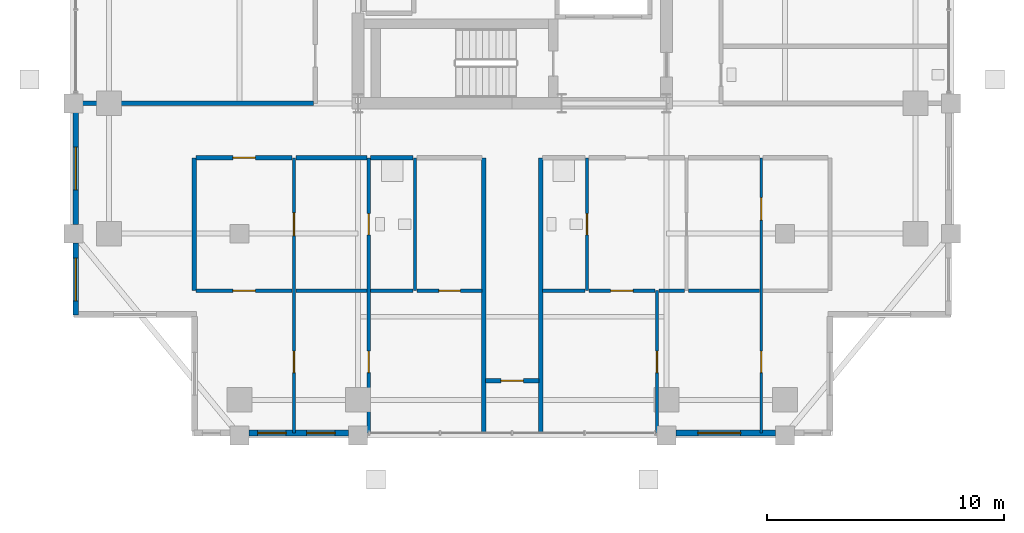
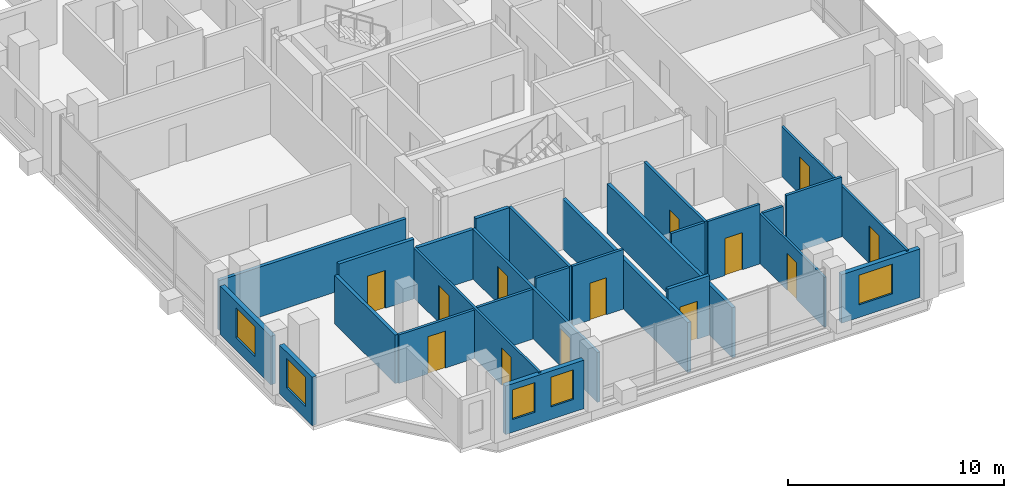
# One storey, part 18 of 24: 26 walls, 13 doors, 5 windows, 18 openings.
"""IFC4 building model written with IfcOpenShell, lengths in metres."""

from ifc_helpers import new_model, si_unit, direction, frame, frame_2d, origin, place, context, subcontext, project, spatial, rectangle, extrude, material, layer, layer_set, type_object, element, fill, save


model = new_model("IFC4")

# Units and contexts
model_context = context("Model", 3, precision=1e-05, world=origin(), true_north=direction((0.0, 1.0)))
body_context = subcontext(model_context, "Body", "Model", "MODEL_VIEW")
ifc_project = project(units=[si_unit("LENGTHUNIT", "METRE"), si_unit("AREAUNIT", "SQUARE_METRE"), si_unit("VOLUMEUNIT", "CUBIC_METRE"), si_unit("PLANEANGLEUNIT", "RADIAN"), si_unit("MASSUNIT", "GRAM", prefix="KILO")], contexts=[model_context])

# Site, building, storey
site_placement = place(None, origin())
site = spatial("IfcSite", under=ifc_project, at=site_placement, CompositionType="ELEMENT")
building_placement = place(site_placement, origin())
building = spatial("IfcBuilding", under=site, at=building_placement, Name="Barlavira Tower and Art Museum", CompositionType="ELEMENT")
storey_placement = place(building_placement, frame((0.0, 0.0, 201.60009765625)))
storey = spatial("IfcBuildingStorey", under=building, at=storey_placement, Name="L52", CompositionType="ELEMENT", Elevation=201.60009765625)

# Wall, openings, doors
ifc_material_1 = material(Name="Gypsum acoustic stud partition", Category="gypsum")
ifc_layer_1 = layer(ifc_material_1, 0.1201171875, Name="Gypsum acoustic stud partition")
ifc_layer_set_1 = layer_set([ifc_layer_1], Name="Gypsum acoustic stud partition")
wall_type_1 = type_object("IfcWallType", Name="Apartment Internal Acoustic Partition 120", PredefinedType="PARTITIONING", material=ifc_layer_set_1)
wall_1_placement = place(storey_placement, frame((-9.199951171875, -21.39990234375, 0.0), z_axis=(0.0, 0.0, 1.0), x_axis=(0.0, 1.0, 0.0)))
wall_1 = element("IfcWall", 1, at=wall_1_placement, inside=storey, type_object=wall_type_1, Name="L52 Partition Wall 3", PredefinedType="PARTITIONING", context=body_context, shape_type="SweptSolid", body=[
    extrude(rectangle(XDim=11.599853515625, YDim=0.1201171875, at=frame_2d((5.7998046875, 0.0))), origin(), (0.0, 0.0, 1.0), 2.825927734375),
])
opening_1_placement = place(wall_1_placement, frame((8.324951171875, 0.0, 0.0)))
opening_1 = element("IfcOpeningElement", 2, at=opening_1_placement, cuts=wall_1, Name="Opening D-02", PredefinedType="OPENING", context=body_context, shape_type="SweptSolid", body=[
    extrude(rectangle(XDim=0.949951171875, YDim=2.10009765625, at=frame_2d((0.47509765625, 1.050048828125))), frame((0.0, 0.070068359375, 0.0), z_axis=(0.0, -1.0, 0.0), x_axis=(1.0, 0.0, 0.0)), (0.0, 0.0, 1.0), 0.14013671875),
])
opening_2_placement = place(wall_1_placement, frame((2.550048828125, 0.0, 0.0)))
opening_2 = element("IfcOpeningElement", 3, at=opening_2_placement, cuts=wall_1, Name="Opening D-01", PredefinedType="OPENING", context=body_context, shape_type="SweptSolid", body=[
    extrude(rectangle(XDim=0.89990234375, YDim=2.10009765625, at=frame_2d((0.449951171875, 1.050048828125))), frame((0.0, 0.070068359375, 0.0), z_axis=(0.0, -1.0, 0.0), x_axis=(1.0, 0.0, 0.0)), (0.0, 0.0, 1.0), 0.14013671875),
])
ifc_material_2 = material(Name="Engineered coastal hardwood", Category="wood")
door_type_1 = type_object("IfcDoorType", Name="Internal Bedroom Timber Flush Door 900x2100", OperationType="NOTDEFINED", PredefinedType="DOOR", material=ifc_material_2)
door_1_placement = place(opening_2_placement, origin())
door_1 = element("IfcDoor", 4, at=door_1_placement, inside=storey, type_object=door_type_1, Name="Apartment SW1 Bedroom 1 Door", OperationType="SINGLE_SWING_LEFT", OverallHeight=2.10009765625, OverallWidth=0.89990234375, PredefinedType="DOOR", context=body_context, shape_type="SweptSolid", body=[
    extrude(rectangle(XDim=0.89990234375, YDim=2.10009765625, at=frame_2d((0.449951171875, 1.050048828125))), frame((0.0, 0.02490234375, 0.0), z_axis=(0.0, -1.0, 0.0), x_axis=(1.0, 0.0, 0.0)), (0.0, 0.0, 1.0), 0.050048828125),
])
fill(opening_2, door_1)
door_type_2 = type_object("IfcDoorType", Name="Living and Salon Glazed-Leaf Door 950x2100", OperationType="NOTDEFINED", PredefinedType="DOOR", material=ifc_material_2)
door_2_placement = place(opening_1_placement, origin())
door_2 = element("IfcDoor", 5, at=door_2_placement, inside=storey, type_object=door_type_2, Name="Apartment SW1 Kitchen Door", OperationType="SINGLE_SWING_LEFT", OverallHeight=2.10009765625, OverallWidth=0.949951171875, PredefinedType="DOOR", context=body_context, shape_type="SweptSolid", body=[
    extrude(rectangle(XDim=0.949951171875, YDim=2.10009765625, at=frame_2d((0.47509765625, 1.050048828125))), frame((0.0, 0.02490234375, 0.0), z_axis=(0.0, -1.0, 0.0), x_axis=(1.0, 0.0, 0.0)), (0.0, 0.0, 1.0), 0.050048828125),
])
fill(opening_1, door_2)

# Wall, opening, door
wall_2_placement = place(storey_placement, frame((6.10009765625, -21.39990234375, 0.0), z_axis=(0.0, 0.0, 1.0), x_axis=(0.0, 1.0, 0.0)))
wall_2 = element("IfcWall", 6, at=wall_2_placement, inside=storey, type_object=wall_type_1, Name="L52 Partition Wall 19", PredefinedType="PARTITIONING", context=body_context, shape_type="SweptSolid", body=[
    extrude(rectangle(XDim=6.0, YDim=0.1201171875, at=frame_2d((3.0, 0.0))), origin(), (0.0, 0.0, 1.0), 2.825927734375),
])
opening_3_placement = place(wall_2_placement, frame((2.550048828125, 0.0, 0.0)))
opening_3 = element("IfcOpeningElement", 7, at=opening_3_placement, cuts=wall_2, Name="Opening D-01", PredefinedType="OPENING", context=body_context, shape_type="SweptSolid", body=[
    extrude(rectangle(XDim=0.89990234375, YDim=2.10009765625, at=frame_2d((0.449951171875, 1.050048828125))), frame((0.0, 0.070068359375, 0.0), z_axis=(0.0, -1.0, 0.0), x_axis=(1.0, 0.0, 0.0)), (0.0, 0.0, 1.0), 0.14013671875),
])
door_3_placement = place(opening_3_placement, origin())
door_3 = element("IfcDoor", 8, at=door_3_placement, inside=storey, type_object=door_type_1, Name="Apartment SE1 Bedroom 1 Door", OperationType="SINGLE_SWING_RIGHT", OverallHeight=2.10009765625, OverallWidth=0.89990234375, PredefinedType="DOOR", context=body_context, shape_type="SweptSolid", body=[
    extrude(rectangle(XDim=0.89990234375, YDim=2.10009765625, at=frame_2d((0.449951171875, 1.050048828125))), frame((0.0, 0.02490234375, 0.0), z_axis=(0.0, -1.0, 0.0), x_axis=(1.0, 0.0, 0.0)), (0.0, 0.0, 1.0), 0.050048828125),
])
fill(opening_3, door_3)

# Wall, openings, doors
wall_3_placement = place(storey_placement, frame((10.5, -21.39990234375, 0.0), z_axis=(0.0, 0.0, 1.0), x_axis=(0.0, 1.0, 0.0)))
wall_3 = element("IfcWall", 9, at=wall_3_placement, inside=storey, type_object=wall_type_1, Name="L52 Partition Wall 24", PredefinedType="PARTITIONING", context=body_context, shape_type="SweptSolid", body=[
    extrude(rectangle(XDim=11.599853515625, YDim=0.1201171875, at=frame_2d((5.7998046875, 0.0))), origin(), (0.0, 0.0, 1.0), 2.825927734375),
])
opening_4_placement = place(wall_3_placement, frame((8.973388671875, 0.0, 0.0)))
opening_4 = element("IfcOpeningElement", 10, at=opening_4_placement, cuts=wall_3, Name="Opening D-02", PredefinedType="OPENING", context=body_context, shape_type="SweptSolid", body=[
    extrude(rectangle(XDim=0.949951171875, YDim=2.10009765625, at=frame_2d((0.47509765625, 1.050048828125))), frame((0.0, 0.070068359375, 0.0), z_axis=(0.0, -1.0, 0.0), x_axis=(1.0, 0.0, 0.0)), (0.0, 0.0, 1.0), 0.14013671875),
])
opening_5_placement = place(wall_3_placement, frame((2.550048828125, 0.0, 0.0)))
opening_5 = element("IfcOpeningElement", 11, at=opening_5_placement, cuts=wall_3, Name="Opening D-01", PredefinedType="OPENING", context=body_context, shape_type="SweptSolid", body=[
    extrude(rectangle(XDim=0.89990234375, YDim=2.10009765625, at=frame_2d((0.449951171875, 1.050048828125))), frame((0.0, 0.070068359375, 0.0), z_axis=(0.0, -1.0, 0.0), x_axis=(1.0, 0.0, 0.0)), (0.0, 0.0, 1.0), 0.14013671875),
])
door_4_placement = place(opening_5_placement, origin())
door_4 = element("IfcDoor", 12, at=door_4_placement, inside=storey, type_object=door_type_1, Name="Apartment SE1 Bedroom 2 Door", OperationType="SINGLE_SWING_LEFT", OverallHeight=2.10009765625, OverallWidth=0.89990234375, PredefinedType="DOOR", context=body_context, shape_type="SweptSolid", body=[
    extrude(rectangle(XDim=0.89990234375, YDim=2.10009765625, at=frame_2d((0.449951171875, 1.050048828125))), frame((0.0, 0.02490234375, 0.0), z_axis=(0.0, -1.0, 0.0), x_axis=(1.0, 0.0, 0.0)), (0.0, 0.0, 1.0), 0.050048828125),
])
fill(opening_5, door_4)
door_5_placement = place(opening_4_placement, origin())
door_5 = element("IfcDoor", 13, at=door_5_placement, inside=storey, type_object=door_type_2, Name="Apartment SE1 Dining Salon Door", OperationType="SINGLE_SWING_RIGHT", OverallHeight=2.10009765625, OverallWidth=0.949951171875, PredefinedType="DOOR", context=body_context, shape_type="SweptSolid", body=[
    extrude(rectangle(XDim=0.949951171875, YDim=2.10009765625, at=frame_2d((0.47509765625, 1.050048828125))), frame((0.0, 0.02490234375, 0.0), z_axis=(0.0, -1.0, 0.0), x_axis=(1.0, 0.0, 0.0)), (0.0, 0.0, 1.0), 0.050048828125),
])
fill(opening_4, door_5)

# Walls
ifc_layer_2 = layer(ifc_material_1, 0.179931640625, Name="Gypsum acoustic stud partition")
ifc_layer_set_2 = layer_set([ifc_layer_2], Name="Gypsum acoustic stud partition")
wall_type_2 = type_object("IfcWallType", Name="Inter-Tenancy Party Partition Wall 180", PredefinedType="PARTITIONING", material=ifc_layer_set_2)
wall_4_placement = place(storey_placement, frame((-13.39990234375, -15.39990234375, 0.0), z_axis=(0.0, 0.0, 1.0), x_axis=(0.0, 1.0, 0.0)))
element("IfcWall", 14, at=wall_4_placement, inside=storey, type_object=wall_type_2, Name="L52 Partition Wall 1", PredefinedType="PARTITIONING", context=body_context, shape_type="SweptSolid", body=[
    extrude(rectangle(XDim=5.599853515625, YDim=0.179931640625, at=frame_2d((2.7998046875, 0.0))), origin(), (0.0, 0.0, 1.0), 2.747802734375),
])
for number, where, z_axis, x_axis, name in (
    (15, (-1.199951171875, -21.39990234375, 0.0), (0.0, 0.0, 1.0), (0.0, 1.0, 0.0), "L52 Partition Wall 12"),
    (16, (1.199951171875, -21.39990234375, 0.0), (0.0, 0.0, 1.0), (0.0, 1.0, 0.0), "L52 Partition Wall 14"),
):
    element("IfcWall", number, at=place(storey_placement, frame(where, z_axis=z_axis, x_axis=x_axis)), inside=storey, type_object=wall_type_2, Name=name, PredefinedType="PARTITIONING", context=body_context, shape_type="SweptSolid", body=[
        extrude(rectangle(XDim=11.599853515625, YDim=0.179931640625, at=frame_2d((5.7998046875, 0.0))), origin(), (0.0, 0.0, 1.0), 2.825927734375),
    ])

# Wall, opening, door
wall_5_placement = place(storey_placement, frame((-1.1201171875, -19.199951171875, 0.0), z_axis=(0.0, 0.0, 1.0), x_axis=(1.0, 0.0, 0.0)))
wall_5 = element("IfcWall", 17, at=wall_5_placement, inside=storey, type_object=wall_type_2, Name="L52 Partition Wall 28", PredefinedType="PARTITIONING", context=body_context, shape_type="SweptSolid", body=[
    extrude(rectangle(XDim=2.240234375, YDim=0.179931640625, at=frame_2d((1.1201171875, 0.0))), origin(), (0.0, 0.0, 1.0), 3.3798828125),
])
opening_6_placement = place(wall_5_placement, frame((0.64501953125, 0.0, 0.0)))
opening_6 = element("IfcOpeningElement", 18, at=opening_6_placement, cuts=wall_5, Name="Opening FD-60", PredefinedType="OPENING", context=body_context, shape_type="SweptSolid", body=[
    extrude(rectangle(XDim=0.949951171875, YDim=2.14990234375, at=frame_2d((0.47509765625, 1.074951171875))), frame((0.0, 0.10009765625, 0.0), z_axis=(0.0, -1.0, 0.0), x_axis=(1.0, 0.0, 0.0)), (0.0, 0.0, 1.0), 0.199951171875),
])
ifc_material_3 = material(Name="Brushed stainless steel", Category="steel")
door_type_3 = type_object("IfcDoorType", Name="Apartment Entrance and Riser Fire Door 950x2150 FD60S", OperationType="NOTDEFINED", PredefinedType="DOOR", material=ifc_material_3)
door_6_placement = place(opening_6_placement, origin())
door_6 = element("IfcDoor", 19, at=door_6_placement, inside=storey, type_object=door_type_3, Name="L52 South Horizon Reading Alcove Door", OperationType="SINGLE_SWING_LEFT", OverallHeight=2.14990234375, OverallWidth=0.949951171875, PredefinedType="DOOR", context=body_context, shape_type="SweptSolid", body=[
    extrude(rectangle(XDim=0.949951171875, YDim=2.14990234375, at=frame_2d((0.47509765625, 1.074951171875))), frame((0.0, 0.02490234375, 0.0), z_axis=(0.0, -1.0, 0.0), x_axis=(1.0, 0.0, 0.0)), (0.0, 0.0, 1.0), 0.050048828125),
])
fill(opening_6, door_6)

wall_6_placement = place(storey_placement, frame((-13.320068359375, -9.800048828125, 0.0), z_axis=(0.0, 0.0, 1.0), x_axis=(1.0, 0.0, 0.0)))
wall_6 = element("IfcWall", 20, at=wall_6_placement, inside=storey, type_object=wall_type_2, Name="L52 Partition Wall 38", PredefinedType="PARTITIONING", context=body_context, shape_type="SweptSolid", body=[
    extrude(rectangle(XDim=4.0400390625, YDim=0.179931640625, at=frame_2d((2.02001953125, 0.0))), origin(), (0.0, 0.0, 1.0), 3.3798828125),
])
opening_7_placement = place(wall_6_placement, frame((1.544921875, 0.0, 0.0)))
opening_7 = element("IfcOpeningElement", 21, at=opening_7_placement, cuts=wall_6, Name="Opening FD-60", PredefinedType="OPENING", context=body_context, shape_type="SweptSolid", body=[
    extrude(rectangle(XDim=0.949951171875, YDim=2.14990234375, at=frame_2d((0.47509765625, 1.074951171875))), frame((0.0, 0.10009765625, 0.0), z_axis=(0.0, -1.0, 0.0), x_axis=(1.0, 0.0, 0.0)), (0.0, 0.0, 1.0), 0.199951171875),
])
door_7_placement = place(opening_7_placement, origin())
door_7 = element("IfcDoor", 22, at=door_7_placement, inside=storey, type_object=door_type_3, Name="Apartment Entrance Hall SW1 Door", OperationType="SINGLE_SWING_RIGHT", OverallHeight=2.14990234375, OverallWidth=0.949951171875, PredefinedType="DOOR", context=body_context, shape_type="SweptSolid", body=[
    extrude(rectangle(XDim=0.949951171875, YDim=2.14990234375, at=frame_2d((0.47509765625, 1.074951171875))), frame((0.0, 0.02490234375, 0.0), z_axis=(0.0, -1.0, 0.0), x_axis=(1.0, 0.0, 0.0)), (0.0, 0.0, 1.0), 0.050048828125),
])
fill(opening_7, door_7)

# Walls
wall_7_placement = place(storey_placement, frame((-9.1201171875, -9.800048828125, 0.0), z_axis=(0.0, 0.0, 1.0), x_axis=(1.0, 0.0, 0.0)))
element("IfcWall", 23, at=wall_7_placement, inside=storey, type_object=wall_type_2, Name="L52 Partition Wall 39", PredefinedType="PARTITIONING", context=body_context, shape_type="SweptSolid", body=[
    extrude(rectangle(XDim=2.990234375, YDim=0.179931640625, at=frame_2d((1.4951171875, 0.0))), origin(), (0.0, 0.0, 1.0), 2.825927734375),
])
wall_8_placement = place(storey_placement, frame((-5.969970703125, -9.800048828125, 0.0), z_axis=(0.0, 0.0, 1.0), x_axis=(1.0, 0.0, 0.0)))
element("IfcWall", 24, at=wall_8_placement, inside=storey, type_object=wall_type_2, Name="L52 Partition Wall 40", PredefinedType="PARTITIONING", context=body_context, shape_type="SweptSolid", body=[
    extrude(rectangle(XDim=1.7900390625, YDim=0.179931640625, at=frame_2d((0.89501953125, 0.0))), origin(), (0.0, 0.0, 1.0), 3.3798828125),
])
wall_9_placement = place(storey_placement, frame((-18.39990234375, -7.5, 0.0), z_axis=(0.0, 0.0, 1.0), x_axis=(1.0, 0.0, 0.0)))
element("IfcWall", 25, at=wall_9_placement, inside=storey, type_object=wall_type_2, Name="L52 Partition Wall 46", PredefinedType="PARTITIONING", context=body_context, shape_type="SweptSolid", body=[
    extrude(rectangle(XDim=10.02001953125, YDim=0.179931640625, at=frame_2d((5.010009765625, 0.0))), origin(), (0.0, 0.0, 1.0), 2.825927734375),
])

# Wall, openings, doors
ifc_layer_3 = layer(ifc_material_1, 0.139892578125, Name="Gypsum acoustic stud partition")
ifc_layer_set_3 = layer_set([ifc_layer_3], Name="Gypsum acoustic stud partition")
wall_type_3 = type_object("IfcWallType", Name="Moisture-Resistant Bathroom Partition 140", PredefinedType="PARTITIONING", material=ifc_layer_set_3)
wall_10_placement = place(storey_placement, frame((-6.050048828125, -21.39990234375, 0.0), z_axis=(0.0, 0.0, 1.0), x_axis=(0.0, 1.0, 0.0)))
wall_10 = element("IfcWall", 26, at=wall_10_placement, inside=storey, type_object=wall_type_3, Name="L52 Partition Wall 7", PredefinedType="PARTITIONING", context=body_context, shape_type="SweptSolid", body=[
    extrude(rectangle(XDim=11.599853515625, YDim=0.139892578125, at=frame_2d((5.7998046875, 0.0))), origin(), (0.0, 0.0, 1.0), 2.825927734375),
])
opening_8_placement = place(wall_10_placement, frame((8.35009765625, 0.0, 0.0)))
opening_8 = element("IfcOpeningElement", 27, at=opening_8_placement, cuts=wall_10, Name="Opening D-WC", PredefinedType="OPENING", context=body_context, shape_type="SweptSolid", body=[
    extrude(rectangle(XDim=0.89990234375, YDim=2.10009765625, at=frame_2d((0.449951171875, 1.050048828125))), frame((0.0, 0.080078125, 0.0), z_axis=(0.0, -1.0, 0.0), x_axis=(1.0, 0.0, 0.0)), (0.0, 0.0, 1.0), 0.159912109375),
])
opening_9_placement = place(wall_10_placement, frame((2.550048828125, 0.0, 0.0)))
opening_9 = element("IfcOpeningElement", 28, at=opening_9_placement, cuts=wall_10, Name="Opening D-01", PredefinedType="OPENING", context=body_context, shape_type="SweptSolid", body=[
    extrude(rectangle(XDim=0.89990234375, YDim=2.10009765625, at=frame_2d((0.449951171875, 1.050048828125))), frame((0.0, 0.080078125, 0.0), z_axis=(0.0, -1.0, 0.0), x_axis=(1.0, 0.0, 0.0)), (0.0, 0.0, 1.0), 0.159912109375),
])
door_type_4 = type_object("IfcDoorType", Name="Accessible Bathroom Flush Door 900x2100", OperationType="NOTDEFINED", PredefinedType="DOOR", material=ifc_material_2)
door_8_placement = place(opening_8_placement, origin())
door_8 = element("IfcDoor", 29, at=door_8_placement, inside=storey, type_object=door_type_4, Name="Apartment SW1 Hall Bathroom Door", OperationType="SINGLE_SWING_RIGHT", OverallHeight=2.10009765625, OverallWidth=0.89990234375, PredefinedType="DOOR", context=body_context, shape_type="SweptSolid", body=[
    extrude(rectangle(XDim=0.89990234375, YDim=2.10009765625, at=frame_2d((0.449951171875, 1.050048828125))), frame((0.0, 0.02490234375, 0.0), z_axis=(0.0, -1.0, 0.0), x_axis=(1.0, 0.0, 0.0)), (0.0, 0.0, 1.0), 0.050048828125),
])
fill(opening_8, door_8)
door_9_placement = place(opening_9_placement, origin())
door_9 = element("IfcDoor", 30, at=door_9_placement, inside=storey, type_object=door_type_1, Name="Apartment SW1 Bedroom 2 Door", OperationType="SINGLE_SWING_RIGHT", OverallHeight=2.10009765625, OverallWidth=0.89990234375, PredefinedType="DOOR", context=body_context, shape_type="SweptSolid", body=[
    extrude(rectangle(XDim=0.89990234375, YDim=2.10009765625, at=frame_2d((0.449951171875, 1.050048828125))), frame((0.0, 0.02490234375, 0.0), z_axis=(0.0, -1.0, 0.0), x_axis=(1.0, 0.0, 0.0)), (0.0, 0.0, 1.0), 0.050048828125),
])
fill(opening_9, door_9)

# Wall
wall_11_placement = place(storey_placement, frame((-4.10009765625, -15.39990234375, 0.0), z_axis=(0.0, 0.0, 1.0), x_axis=(0.0, 1.0, 0.0)))
element("IfcWall", 31, at=wall_11_placement, inside=storey, type_object=wall_type_3, Name="L52 Partition Wall 10", PredefinedType="PARTITIONING", context=body_context, shape_type="SweptSolid", body=[
    extrude(rectangle(XDim=5.599853515625, YDim=0.139892578125, at=frame_2d((2.7998046875, 0.0))), origin(), (0.0, 0.0, 1.0), 3.3798828125),
])

# Wall, opening, door
wall_12_placement = place(storey_placement, frame((3.14990234375, -15.39990234375, 0.0), z_axis=(0.0, 0.0, 1.0), x_axis=(0.0, 1.0, 0.0)))
wall_12 = element("IfcWall", 32, at=wall_12_placement, inside=storey, type_object=wall_type_3, Name="L52 Partition Wall 16", PredefinedType="PARTITIONING", context=body_context, shape_type="SweptSolid", body=[
    extrude(rectangle(XDim=5.599853515625, YDim=0.139892578125, at=frame_2d((2.7998046875, 0.0))), origin(), (0.0, 0.0, 1.0), 3.3798828125),
])
opening_10_placement = place(wall_12_placement, frame((2.35009765625, 0.0, 0.0)))
opening_10 = element("IfcOpeningElement", 33, at=opening_10_placement, cuts=wall_12, Name="Opening D-WC", PredefinedType="OPENING", context=body_context, shape_type="SweptSolid", body=[
    extrude(rectangle(XDim=0.89990234375, YDim=2.10009765625, at=frame_2d((0.449951171875, 1.050048828125))), frame((0.0, 0.080078125, 0.0), z_axis=(0.0, -1.0, 0.0), x_axis=(1.0, 0.0, 0.0)), (0.0, 0.0, 1.0), 0.159912109375),
])
door_10_placement = place(opening_10_placement, origin())
door_10 = element("IfcDoor", 34, at=door_10_placement, inside=storey, type_object=door_type_4, Name="Apartment SE1 Hall Bathroom Door", OperationType="SINGLE_SWING_LEFT", OverallHeight=2.10009765625, OverallWidth=0.89990234375, PredefinedType="DOOR", context=body_context, shape_type="SweptSolid", body=[
    extrude(rectangle(XDim=0.89990234375, YDim=2.10009765625, at=frame_2d((0.449951171875, 1.050048828125))), frame((0.0, 0.02490234375, 0.0), z_axis=(0.0, -1.0, 0.0), x_axis=(1.0, 0.0, 0.0)), (0.0, 0.0, 1.0), 0.050048828125),
])
fill(opening_10, door_10)

wall_13_placement = place(storey_placement, frame((-13.320068359375, -15.39990234375, 0.0), z_axis=(0.0, 0.0, 1.0), x_axis=(1.0, 0.0, 0.0)))
wall_13 = element("IfcWall", 35, at=wall_13_placement, inside=storey, type_object=wall_type_3, Name="L52 Partition Wall 29", PredefinedType="PARTITIONING", context=body_context, shape_type="SweptSolid", body=[
    extrude(rectangle(XDim=4.0400390625, YDim=0.139892578125, at=frame_2d((2.02001953125, 0.0))), origin(), (0.0, 0.0, 1.0), 2.747802734375),
])
opening_11_placement = place(wall_13_placement, frame((1.544921875, 0.0, 0.0)))
opening_11 = element("IfcOpeningElement", 36, at=opening_11_placement, cuts=wall_13, Name="Opening D-02", PredefinedType="OPENING", context=body_context, shape_type="SweptSolid", body=[
    extrude(rectangle(XDim=0.949951171875, YDim=2.10009765625, at=frame_2d((0.47509765625, 1.050048828125))), frame((0.0, 0.080078125, 0.0), z_axis=(0.0, -1.0, 0.0), x_axis=(1.0, 0.0, 0.0)), (0.0, 0.0, 1.0), 0.159912109375),
])
door_11_placement = place(opening_11_placement, origin())
door_11 = element("IfcDoor", 37, at=door_11_placement, inside=storey, type_object=door_type_2, Name="Apartment SW1 Living Lounge Door", OperationType="SINGLE_SWING_RIGHT", OverallHeight=2.10009765625, OverallWidth=0.949951171875, PredefinedType="DOOR", context=body_context, shape_type="SweptSolid", body=[
    extrude(rectangle(XDim=0.949951171875, YDim=2.10009765625, at=frame_2d((0.47509765625, 1.050048828125))), frame((0.0, 0.02490234375, 0.0), z_axis=(0.0, -1.0, 0.0), x_axis=(1.0, 0.0, 0.0)), (0.0, 0.0, 1.0), 0.050048828125),
])
fill(opening_11, door_11)

# Walls
wall_14_placement = place(storey_placement, frame((-9.1201171875, -15.39990234375, 0.0), z_axis=(0.0, 0.0, 1.0), x_axis=(1.0, 0.0, 0.0)))
element("IfcWall", 38, at=wall_14_placement, inside=storey, type_object=wall_type_3, Name="L52 Partition Wall 30", PredefinedType="PARTITIONING", context=body_context, shape_type="SweptSolid", body=[
    extrude(rectangle(XDim=2.990234375, YDim=0.139892578125, at=frame_2d((1.4951171875, 0.0))), origin(), (0.0, 0.0, 1.0), 2.825927734375),
])
wall_15_placement = place(storey_placement, frame((-5.969970703125, -15.39990234375, 0.0), z_axis=(0.0, 0.0, 1.0), x_axis=(1.0, 0.0, 0.0)))
element("IfcWall", 39, at=wall_15_placement, inside=storey, type_object=wall_type_3, Name="L52 Partition Wall 31", PredefinedType="PARTITIONING", context=body_context, shape_type="SweptSolid", body=[
    extrude(rectangle(XDim=1.7900390625, YDim=0.139892578125, at=frame_2d((0.89501953125, 0.0))), origin(), (0.0, 0.0, 1.0), 3.3798828125),
])

# Wall, opening, door
wall_16_placement = place(storey_placement, frame((-4.02001953125, -15.39990234375, 0.0), z_axis=(0.0, 0.0, 1.0), x_axis=(1.0, 0.0, 0.0)))
wall_16 = element("IfcWall", 40, at=wall_16_placement, inside=storey, type_object=wall_type_3, Name="L52 Partition Wall 32", PredefinedType="PARTITIONING", context=body_context, shape_type="SweptSolid", body=[
    extrude(rectangle(XDim=2.739990234375, YDim=0.139892578125, at=frame_2d((1.3701171875, 0.0))), origin(), (0.0, 0.0, 1.0), 3.3798828125),
])
opening_12_placement = place(wall_16_placement, frame((0.929931640625, 0.0, 0.0)))
opening_12 = element("IfcOpeningElement", 41, at=opening_12_placement, cuts=wall_16, Name="Opening D-01", PredefinedType="OPENING", context=body_context, shape_type="SweptSolid", body=[
    extrude(rectangle(XDim=0.89990234375, YDim=2.10009765625, at=frame_2d((0.449951171875, 1.050048828125))), frame((0.0, 0.080078125, 0.0), z_axis=(0.0, -1.0, 0.0), x_axis=(1.0, 0.0, 0.0)), (0.0, 0.0, 1.0), 0.159912109375),
])
door_12_placement = place(opening_12_placement, origin())
door_12 = element("IfcDoor", 42, at=door_12_placement, inside=storey, type_object=door_type_1, Name="Apartment SW1 Study Door", OperationType="SINGLE_SWING_LEFT", OverallHeight=2.10009765625, OverallWidth=0.89990234375, PredefinedType="DOOR", context=body_context, shape_type="SweptSolid", body=[
    extrude(rectangle(XDim=0.89990234375, YDim=2.10009765625, at=frame_2d((0.449951171875, 1.050048828125))), frame((0.0, 0.02490234375, 0.0), z_axis=(0.0, -1.0, 0.0), x_axis=(1.0, 0.0, 0.0)), (0.0, 0.0, 1.0), 0.050048828125),
])
fill(opening_12, door_12)

# Wall
wall_17_placement = place(storey_placement, frame((1.280029296875, -15.39990234375, 0.0), z_axis=(0.0, 0.0, 1.0), x_axis=(1.0, 0.0, 0.0)))
element("IfcWall", 43, at=wall_17_placement, inside=storey, type_object=wall_type_3, Name="L52 Partition Wall 33", PredefinedType="PARTITIONING", context=body_context, shape_type="SweptSolid", body=[
    extrude(rectangle(XDim=1.7900390625, YDim=0.139892578125, at=frame_2d((0.89501953125, 0.0))), origin(), (0.0, 0.0, 1.0), 3.3798828125),
])

# Wall, opening, door
wall_18_placement = place(storey_placement, frame((3.22998046875, -15.39990234375, 0.0), z_axis=(0.0, 0.0, 1.0), x_axis=(1.0, 0.0, 0.0)))
wall_18 = element("IfcWall", 44, at=wall_18_placement, inside=storey, type_object=wall_type_3, Name="L52 Partition Wall 34", PredefinedType="PARTITIONING", context=body_context, shape_type="SweptSolid", body=[
    extrude(rectangle(XDim=2.7900390625, YDim=0.139892578125, at=frame_2d((1.39501953125, 0.0))), origin(), (0.0, 0.0, 1.0), 3.3798828125),
])
opening_13_placement = place(wall_18_placement, frame((0.9150390625, 0.0, 0.0)))
opening_13 = element("IfcOpeningElement", 45, at=opening_13_placement, cuts=wall_18, Name="Opening D-02", PredefinedType="OPENING", context=body_context, shape_type="SweptSolid", body=[
    extrude(rectangle(XDim=0.949951171875, YDim=2.10009765625, at=frame_2d((0.47509765625, 1.050048828125))), frame((0.0, 0.080078125, 0.0), z_axis=(0.0, -1.0, 0.0), x_axis=(1.0, 0.0, 0.0)), (0.0, 0.0, 1.0), 0.159912109375),
])
door_13_placement = place(opening_13_placement, origin())
door_13 = element("IfcDoor", 46, at=door_13_placement, inside=storey, type_object=door_type_2, Name="Apartment SE1 Living Lounge Door", OperationType="SINGLE_SWING_LEFT", OverallHeight=2.10009765625, OverallWidth=0.949951171875, PredefinedType="DOOR", context=body_context, shape_type="SweptSolid", body=[
    extrude(rectangle(XDim=0.949951171875, YDim=2.10009765625, at=frame_2d((0.47509765625, 1.050048828125))), frame((0.0, 0.02490234375, 0.0), z_axis=(0.0, -1.0, 0.0), x_axis=(1.0, 0.0, 0.0)), (0.0, 0.0, 1.0), 0.050048828125),
])
fill(opening_13, door_13)

# Walls
wall_19_placement = place(storey_placement, frame((6.179931640625, -15.39990234375, 0.0), z_axis=(0.0, 0.0, 1.0), x_axis=(1.0, 0.0, 0.0)))
element("IfcWall", 47, at=wall_19_placement, inside=storey, type_object=wall_type_3, Name="L52 Partition Wall 35", PredefinedType="PARTITIONING", context=body_context, shape_type="SweptSolid", body=[
    extrude(rectangle(XDim=1.090087890625, YDim=0.139892578125, at=frame_2d((0.544921875, 0.0))), origin(), (0.0, 0.0, 1.0), 2.825927734375),
])
wall_20_placement = place(storey_placement, frame((7.429931640625, -15.39990234375, 0.0), z_axis=(0.0, 0.0, 1.0), x_axis=(1.0, 0.0, 0.0)))
element("IfcWall", 48, at=wall_20_placement, inside=storey, type_object=wall_type_3, Name="L52 Partition Wall 36", PredefinedType="PARTITIONING", context=body_context, shape_type="SweptSolid", body=[
    extrude(rectangle(XDim=2.989990234375, YDim=0.139892578125, at=frame_2d((1.4951171875, 0.0))), origin(), (0.0, 0.0, 1.0), 3.3798828125),
])

# Wall, openings, windows
ifc_material_4 = material(Name="Precast concrete C40", Category="concrete")
ifc_layer_4 = layer(ifc_material_4, 0.25, Name="Precast concrete C40")
ifc_layer_set_4 = layer_set([ifc_layer_4], Name="Precast concrete C40")
wall_type_4 = type_object("IfcWallType", Name="Notched Corner Spandrel Wall 250 Precast Concrete C40", PredefinedType="SOLIDWALL", material=ifc_layer_set_4)
wall_21_placement = place(storey_placement, frame((-11.10498046875, -21.39990234375, 0.0), z_axis=(0.0, 0.0, 1.0), x_axis=(1.0, 0.0, 0.0)))
wall_21 = element("IfcWall", 49, at=wall_21_placement, inside=storey, type_object=wall_type_4, Name="L52 Coastal Facade Pier Wall CW3-L52-S-2", PredefinedType="SOLIDWALL", context=body_context, shape_type="SweptSolid", body=[
    extrude(rectangle(XDim=4.2099609375, YDim=0.25, at=frame_2d((2.10498046875, 0.0))), origin(), (0.0, 0.0, 1.0), 2.747802734375),
])
opening_14_placement = place(wall_21_placement, frame((0.375, 0.0, 0.719970703125)))
opening_14 = element("IfcOpeningElement", 50, at=opening_14_placement, cuts=wall_21, Name="Opening WN-05", PredefinedType="OPENING", context=body_context, shape_type="SweptSolid", body=[
    extrude(rectangle(XDim=1.199951171875, YDim=1.679931640625, at=frame_2d((0.60009765625, 0.83984375))), frame((0.0, 0.135009765625, 0.0), z_axis=(0.0, -1.0, 0.0), x_axis=(1.0, 0.0, 0.0)), (0.0, 0.0, 1.0), 0.27001953125),
])
opening_15_placement = place(wall_21_placement, frame((2.43505859375, 0.0, 0.719970703125)))
opening_15 = element("IfcOpeningElement", 51, at=opening_15_placement, cuts=wall_21, Name="Opening WN-05", PredefinedType="OPENING", context=body_context, shape_type="SweptSolid", body=[
    extrude(rectangle(XDim=1.199951171875, YDim=1.679931640625, at=frame_2d((0.60009765625, 0.83984375))), frame((0.0, 0.135009765625, 0.0), z_axis=(0.0, -1.0, 0.0), x_axis=(1.0, 0.0, 0.0)), (0.0, 0.0, 1.0), 0.27001953125),
])
ifc_material_5 = material(Name="Low-iron coastal laminated glass", Category="glass")
window_type_1 = type_object("IfcWindowType", Name="Recessed Flank Pier Punch Window 1200x1680", PartitioningType="SINGLE_PANEL", PredefinedType="WINDOW", material=ifc_material_5)
window_1_placement = place(opening_14_placement, origin())
window_1 = element("IfcWindow", 52, at=window_1_placement, inside=storey, type_object=window_type_1, Name="L52 Punched Facade Window EWP-CW3-L52-S-2-1", OverallHeight=1.679931640625, OverallWidth=1.199951171875, PartitioningType="SINGLE_PANEL", PredefinedType="WINDOW", context=body_context, shape_type="SweptSolid", body=[
    extrude(rectangle(XDim=1.199951171875, YDim=1.679931640625, at=frame_2d((0.60009765625, 0.83984375))), frame((0.0, 0.030029296875, 0.0), z_axis=(0.0, -1.0, 0.0), x_axis=(1.0, 0.0, 0.0)), (0.0, 0.0, 1.0), 0.06005859375),
])
fill(opening_14, window_1)
window_2_placement = place(opening_15_placement, origin())
window_2 = element("IfcWindow", 53, at=window_2_placement, inside=storey, type_object=window_type_1, Name="L52 Punched Facade Window EWP-CW3-L52-S-2-2", OverallHeight=1.679931640625, OverallWidth=1.199951171875, PartitioningType="SINGLE_PANEL", PredefinedType="WINDOW", context=body_context, shape_type="SweptSolid", body=[
    extrude(rectangle(XDim=1.199951171875, YDim=1.679931640625, at=frame_2d((0.60009765625, 0.83984375))), frame((0.0, 0.030029296875, 0.0), z_axis=(0.0, -1.0, 0.0), x_axis=(1.0, 0.0, 0.0)), (0.0, 0.0, 1.0), 0.06005859375),
])
fill(opening_15, window_2)

# Wall, opening, window
wall_22_placement = place(storey_placement, frame((6.89501953125, -21.39990234375, 0.0), z_axis=(0.0, 0.0, 1.0), x_axis=(1.0, 0.0, 0.0)))
wall_22 = element("IfcWall", 54, at=wall_22_placement, inside=storey, type_object=wall_type_4, Name="L52 Coastal Facade Pier Wall CW3-L52-S-4", PredefinedType="SOLIDWALL", context=body_context, shape_type="SweptSolid", body=[
    extrude(rectangle(XDim=4.2099609375, YDim=0.25, at=frame_2d((2.10498046875, 0.0))), origin(), (0.0, 0.0, 1.0), 2.747802734375),
])
opening_16_placement = place(wall_22_placement, frame((0.93505859375, 0.0, 0.719970703125)))
opening_16 = element("IfcOpeningElement", 55, at=opening_16_placement, cuts=wall_22, Name="Opening WN-01", PredefinedType="OPENING", context=body_context, shape_type="SweptSolid", body=[
    extrude(rectangle(XDim=1.800048828125, YDim=1.679931640625, at=frame_2d((0.89990234375, 0.83984375))), frame((0.0, 0.135009765625, 0.0), z_axis=(0.0, -1.0, 0.0), x_axis=(1.0, 0.0, 0.0)), (0.0, 0.0, 1.0), 0.27001953125),
])
window_type_2 = type_object("IfcWindowType", Name="Recessed Notch Corner Punch Window 1800x1680", PartitioningType="SINGLE_PANEL", PredefinedType="WINDOW", material=ifc_material_5)
window_3_placement = place(opening_16_placement, origin())
window_3 = element("IfcWindow", 56, at=window_3_placement, inside=storey, type_object=window_type_2, Name="L52 Punched Facade Window EWP-CW3-L52-S-4-1", OverallHeight=1.679931640625, OverallWidth=1.800048828125, PartitioningType="SINGLE_PANEL", PredefinedType="WINDOW", context=body_context, shape_type="SweptSolid", body=[
    extrude(rectangle(XDim=1.800048828125, YDim=1.679931640625, at=frame_2d((0.89990234375, 0.83984375))), frame((0.0, 0.030029296875, 0.0), z_axis=(0.0, -1.0, 0.0), x_axis=(1.0, 0.0, 0.0)), (0.0, 0.0, 1.0), 0.06005859375),
])
fill(opening_16, window_3)

wall_23_placement = place(storey_placement, frame((-18.39990234375, -7.89501953125, 0.0), z_axis=(0.0, 0.0, 1.0), x_axis=(0.0, -1.0, 0.0)))
wall_23 = element("IfcWall", 57, at=wall_23_placement, inside=storey, type_object=wall_type_4, Name="L52 Coastal Facade Pier Wall CW3-L52-W-4", PredefinedType="SOLIDWALL", context=body_context, shape_type="SweptSolid", body=[
    extrude(rectangle(XDim=4.7099609375, YDim=0.25, at=frame_2d((2.35498046875, 0.0))), origin(), (0.0, 0.0, 1.0), 2.747802734375),
])
opening_17_placement = place(wall_23_placement, frame((1.455078125, 0.0, 0.719970703125)))
opening_17 = element("IfcOpeningElement", 58, at=opening_17_placement, cuts=wall_23, Name="Opening WN-01", PredefinedType="OPENING", context=body_context, shape_type="SweptSolid", body=[
    extrude(rectangle(XDim=1.800048828125, YDim=1.679931640625, at=frame_2d((0.89990234375, 0.83984375))), frame((0.0, 0.135009765625, 0.0), z_axis=(0.0, -1.0, 0.0), x_axis=(1.0, 0.0, 0.0)), (0.0, 0.0, 1.0), 0.27001953125),
])
window_4_placement = place(opening_17_placement, origin())
window_4 = element("IfcWindow", 59, at=window_4_placement, inside=storey, type_object=window_type_2, Name="L52 Punched Facade Window EWP-CW3-L52-W-4-1", OverallHeight=1.679931640625, OverallWidth=1.800048828125, PartitioningType="SINGLE_PANEL", PredefinedType="WINDOW", context=body_context, shape_type="SweptSolid", body=[
    extrude(rectangle(XDim=1.800048828125, YDim=1.679931640625, at=frame_2d((0.89990234375, 0.83984375))), frame((0.0, 0.030029296875, 0.0), z_axis=(0.0, -1.0, 0.0), x_axis=(1.0, 0.0, 0.0)), (0.0, 0.0, 1.0), 0.06005859375),
])
fill(opening_17, window_4)

wall_24_placement = place(storey_placement, frame((-18.39990234375, -13.39501953125, 0.0), z_axis=(0.0, 0.0, 1.0), x_axis=(0.0, -1.0, 0.0)))
wall_24 = element("IfcWall", 60, at=wall_24_placement, inside=storey, type_object=wall_type_4, Name="L52 Coastal Facade Pier Wall CW3-L52-W-5", PredefinedType="SOLIDWALL", context=body_context, shape_type="SweptSolid", body=[
    extrude(rectangle(XDim=3.030029296875, YDim=0.25, at=frame_2d((1.51513671875, 0.0))), origin(), (0.0, 0.0, 1.0), 2.747802734375),
])
opening_18_placement = place(wall_24_placement, frame((0.637939453125, 0.0, 0.719970703125)))
opening_18 = element("IfcOpeningElement", 61, at=opening_18_placement, cuts=wall_24, Name="Opening WN-01", PredefinedType="OPENING", context=body_context, shape_type="SweptSolid", body=[
    extrude(rectangle(XDim=1.800048828125, YDim=1.679931640625, at=frame_2d((0.89990234375, 0.83984375))), frame((0.0, 0.135009765625, 0.0), z_axis=(0.0, -1.0, 0.0), x_axis=(1.0, 0.0, 0.0)), (0.0, 0.0, 1.0), 0.27001953125),
])
window_5_placement = place(opening_18_placement, origin())
window_5 = element("IfcWindow", 62, at=window_5_placement, inside=storey, type_object=window_type_2, Name="L52 Punched Facade Window EWP-CW3-L52-W-5-1", OverallHeight=1.679931640625, OverallWidth=1.800048828125, PartitioningType="SINGLE_PANEL", PredefinedType="WINDOW", context=body_context, shape_type="SweptSolid", body=[
    extrude(rectangle(XDim=1.800048828125, YDim=1.679931640625, at=frame_2d((0.89990234375, 0.83984375))), frame((0.0, 0.030029296875, 0.0), z_axis=(0.0, -1.0, 0.0), x_axis=(1.0, 0.0, 0.0)), (0.0, 0.0, 1.0), 0.06005859375),
])
fill(opening_18, window_5)

save(model, "model.ifc")
